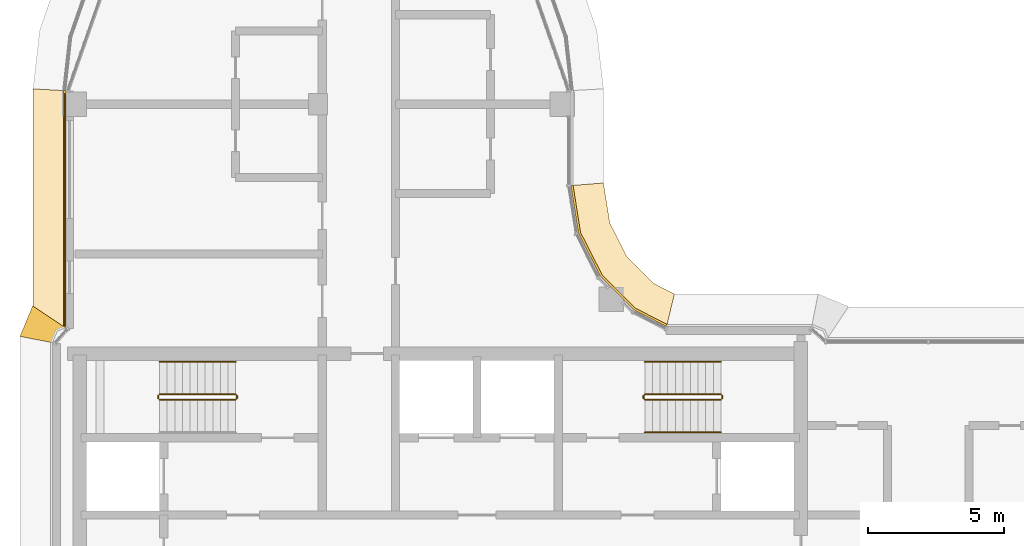
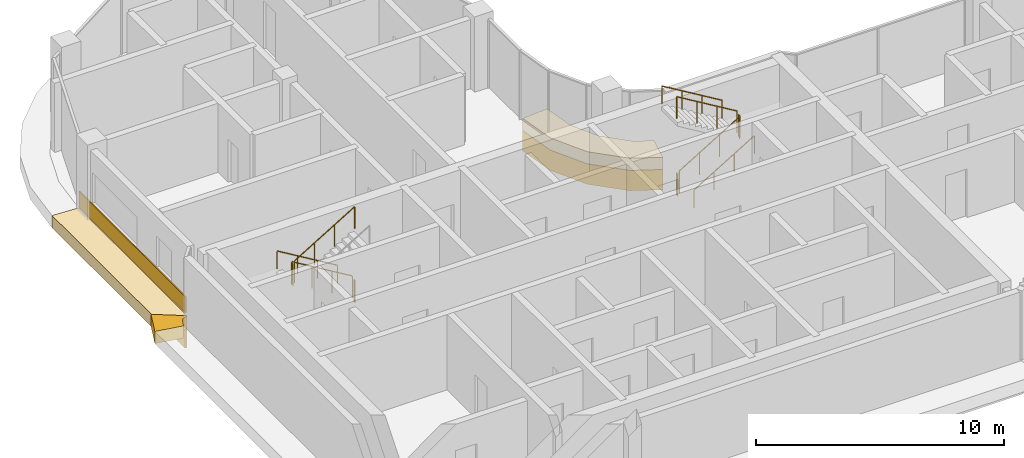
# One storey, part 17 of 20: 11 railings, 6 coverings.
"""IFC4 building model written with IfcOpenShell, lengths in metres."""

from ifc_helpers import new_model, si_unit, direction, frame, origin, origin_2d, place, context, subcontext, project, spatial, polyline, rectangle, circle, outline, extrude, material, layer, layer_set, type_object, element, save


model = new_model("IFC4")

# Units and contexts
model_context = context("Model", 3, precision=1e-05, world=origin(), true_north=direction((0.0, 1.0)))
body_context = subcontext(model_context, "Body", "Model", "MODEL_VIEW")
ifc_project = project(units=[si_unit("LENGTHUNIT", "METRE"), si_unit("AREAUNIT", "SQUARE_METRE"), si_unit("VOLUMEUNIT", "CUBIC_METRE"), si_unit("PLANEANGLEUNIT", "RADIAN"), si_unit("MASSUNIT", "GRAM", prefix="KILO")], contexts=[model_context])

# Site, building, storey
site_placement = place(None, origin())
site = spatial("IfcSite", under=ifc_project, at=site_placement, CompositionType="ELEMENT")
building_placement = place(site_placement, origin())
building = spatial("IfcBuilding", under=site, at=building_placement, Name="Ogive Portal Towers", CompositionType="ELEMENT")
storey_placement = place(building_placement, frame((0.0, 0.0, 214.300048828125)))
storey = spatial("IfcBuildingStorey", under=building, at=storey_placement, Name="L53", CompositionType="ELEMENT", Elevation=214.300048828125)

# Railings
ifc_material_1 = material(Name="Stainless steel balustrade", Category="steel")
railing_type_1 = type_object("IfcRailingType", Name="INT-GUARD", PredefinedType="GUARDRAIL", material=ifc_material_1)
railing_1_placement = place(storey_placement, frame((37.449951171875, 37.800048828125, 0.168212890625)))
element("IfcRailing", 1, at=railing_1_placement, inside=storey, type_object=railing_type_1, Name="L53 ST-A1 stair guard 1", PredefinedType="GUARDRAIL", context=body_context, shape_type="SweptSolid", body=[
    extrude(circle(Radius=0.02392578125, at=origin_2d()), frame((0.0, 0.0, 1.076171875), z_axis=(-0.857275202839, 0.0, 0.514858452973), x_axis=(0.0, -1.0, 0.0)), (0.0, 0.0, 1.0), 3.26611328125),
    extrude(circle(Radius=0.02099609375, at=origin_2d()), origin(), (0.0, 0.0, 1.0), 1.052001953125),
    extrude(circle(Radius=0.02099609375, at=origin_2d()), frame((-0.933349609375, 0.0, 0.560546875)), (0.0, 0.0, 1.0), 1.052001953125),
    extrude(circle(Radius=0.02099609375, at=origin_2d()), frame((-1.86669921875, 0.0, 1.12109375)), (0.0, 0.0, 1.0), 1.052001953125),
    extrude(circle(Radius=0.02099609375, at=origin_2d()), frame((-2.800048828125, 0.0, 1.681640625)), (0.0, 0.0, 1.0), 1.052001953125),
])
railing_2_placement = place(storey_placement, frame((34.60009765625, 37.75, 1.849853515625)))
element("IfcRailing", 2, at=railing_2_placement, inside=storey, type_object=railing_type_1, Name="L53 ST-A1 stair guard 2", PredefinedType="GUARDRAIL", context=body_context, shape_type="SweptSolid", body=[
    extrude(circle(Radius=0.02392578125, at=origin_2d()), frame((0.0, 0.0, 1.076171875), z_axis=(0.0, -1.0, 0.0), x_axis=(1.0, 0.0, 0.0)), (0.0, 0.0, 1.0), 0.10009765625),
    extrude(circle(Radius=0.02099609375, at=origin_2d()), origin(), (0.0, 0.0, 1.0), 1.052001953125),
    extrude(circle(Radius=0.02099609375, at=origin_2d()), frame((0.0, -0.10009765625, 0.0)), (0.0, 0.0, 1.0), 1.052001953125),
])
railing_3_placement = place(storey_placement, frame((34.64990234375, 37.60009765625, 2.01806640625)))
element("IfcRailing", 3, at=railing_3_placement, inside=storey, type_object=railing_type_1, Name="L53 ST-A1 stair guard 3", PredefinedType="GUARDRAIL", context=body_context, shape_type="SweptSolid", body=[
    extrude(circle(Radius=0.02392578125, at=origin_2d()), frame((0.0, 0.0, 1.076171875), z_axis=(0.857242210791, 0.0, 0.514913383045), x_axis=(0.0, 1.0, 0.0)), (0.0, 0.0, 1.0), 3.266357421875),
    extrude(circle(Radius=0.02099609375, at=origin_2d()), origin(), (0.0, 0.0, 1.0), 1.052001953125),
    extrude(circle(Radius=0.02099609375, at=origin_2d()), frame((0.933349609375, 0.0, 0.560546875)), (0.0, 0.0, 1.0), 1.052001953125),
    extrude(circle(Radius=0.02099609375, at=origin_2d()), frame((1.86669921875, 0.0, 1.121337890625)), (0.0, 0.0, 1.0), 1.052001953125),
    extrude(circle(Radius=0.02099609375, at=origin_2d()), frame((2.800048828125, 0.0, 1.681884765625)), (0.0, 0.0, 1.0), 1.052001953125),
])
railing_4_placement = place(storey_placement, frame((37.5, 37.75, 0.0)))
element("IfcRailing", 4, at=railing_4_placement, inside=storey, type_object=railing_type_1, Name="L53 ST-A1 stair guard 4", PredefinedType="GUARDRAIL", context=body_context, shape_type="SweptSolid", body=[
    extrude(circle(Radius=0.02392578125, at=origin_2d()), frame((0.0, 0.0, 1.076171875), z_axis=(0.0, -1.0, 0.0), x_axis=(1.0, 0.0, 0.0)), (0.0, 0.0, 1.0), 0.10009765625),
    extrude(circle(Radius=0.02099609375, at=origin_2d()), origin(), (0.0, 0.0, 1.0), 1.052001953125),
    extrude(circle(Radius=0.02099609375, at=origin_2d()), frame((0.0, -0.10009765625, 0.0)), (0.0, 0.0, 1.0), 1.052001953125),
])
railing_5_placement = place(storey_placement, frame((52.550048828125, 37.60009765625, 0.168212890625)))
element("IfcRailing", 5, at=railing_5_placement, inside=storey, type_object=railing_type_1, Name="L53 ST-A2 stair guard 1", PredefinedType="GUARDRAIL", context=body_context, shape_type="SweptSolid", body=[
    extrude(circle(Radius=0.02392578125, at=origin_2d()), frame((0.0, 0.0, 1.076171875), z_axis=(0.857275202839, 0.0, 0.514858452973), x_axis=(0.0, 1.0, 0.0)), (0.0, 0.0, 1.0), 3.26611328125),
    extrude(circle(Radius=0.02099609375, at=origin_2d()), origin(), (0.0, 0.0, 1.0), 1.052001953125),
    extrude(circle(Radius=0.02099609375, at=origin_2d()), frame((0.933349609375, 0.0, 0.560546875)), (0.0, 0.0, 1.0), 1.052001953125),
    extrude(circle(Radius=0.02099609375, at=origin_2d()), frame((1.86669921875, 0.0, 1.12109375)), (0.0, 0.0, 1.0), 1.052001953125),
    extrude(circle(Radius=0.02099609375, at=origin_2d()), frame((2.800048828125, 0.0, 1.681640625)), (0.0, 0.0, 1.0), 1.052001953125),
])
railing_6_placement = place(storey_placement, frame((55.39990234375, 37.64990234375, 1.849853515625)))
element("IfcRailing", 6, at=railing_6_placement, inside=storey, type_object=railing_type_1, Name="L53 ST-A2 stair guard 2", PredefinedType="GUARDRAIL", context=body_context, shape_type="SweptSolid", body=[
    extrude(circle(Radius=0.02392578125, at=origin_2d()), frame((0.0, 0.0, 1.076171875), z_axis=(0.0, 1.0, 0.0), x_axis=(-1.0, 0.0, 0.0)), (0.0, 0.0, 1.0), 0.10009765625),
    extrude(circle(Radius=0.02099609375, at=origin_2d()), origin(), (0.0, 0.0, 1.0), 1.052001953125),
    extrude(circle(Radius=0.02099609375, at=origin_2d()), frame((0.0, 0.10009765625, 0.0)), (0.0, 0.0, 1.0), 1.052001953125),
])
railing_7_placement = place(storey_placement, frame((55.35009765625, 37.800048828125, 2.01806640625)))
element("IfcRailing", 7, at=railing_7_placement, inside=storey, type_object=railing_type_1, Name="L53 ST-A2 stair guard 3", PredefinedType="GUARDRAIL", context=body_context, shape_type="SweptSolid", body=[
    extrude(circle(Radius=0.02392578125, at=origin_2d()), frame((0.0, 0.0, 1.076171875), z_axis=(-0.857242210791, 0.0, 0.514913383045), x_axis=(0.0, -1.0, 0.0)), (0.0, 0.0, 1.0), 3.266357421875),
    extrude(circle(Radius=0.02099609375, at=origin_2d()), origin(), (0.0, 0.0, 1.0), 1.052001953125),
    extrude(circle(Radius=0.02099609375, at=origin_2d()), frame((-0.933349609375, 0.0, 0.560546875)), (0.0, 0.0, 1.0), 1.052001953125),
    extrude(circle(Radius=0.02099609375, at=origin_2d()), frame((-1.86669921875, 0.0, 1.121337890625)), (0.0, 0.0, 1.0), 1.052001953125),
    extrude(circle(Radius=0.02099609375, at=origin_2d()), frame((-2.800048828125, 0.0, 1.681884765625)), (0.0, 0.0, 1.0), 1.052001953125),
])
railing_8_placement = place(storey_placement, frame((52.5, 37.64990234375, 0.0)))
element("IfcRailing", 8, at=railing_8_placement, inside=storey, type_object=railing_type_1, Name="L53 ST-A2 stair guard 4", PredefinedType="GUARDRAIL", context=body_context, shape_type="SweptSolid", body=[
    extrude(circle(Radius=0.02392578125, at=origin_2d()), frame((0.0, 0.0, 1.076171875), z_axis=(0.0, 1.0, 0.0), x_axis=(-1.0, 0.0, 0.0)), (0.0, 0.0, 1.0), 0.10009765625),
    extrude(circle(Radius=0.02099609375, at=origin_2d()), origin(), (0.0, 0.0, 1.0), 1.052001953125),
    extrude(circle(Radius=0.02099609375, at=origin_2d()), frame((0.0, 0.10009765625, 0.0)), (0.0, 0.0, 1.0), 1.052001953125),
])
ifc_material_2 = material(Name="Stainless steel handrail", Category="steel")
railing_type_2 = type_object("IfcRailingType", Name="INT-HANDRAIL", PredefinedType="HANDRAIL", material=ifc_material_2)
railing_9_placement = place(storey_placement, frame((37.449951171875, 39.0, 0.168212890625)))
element("IfcRailing", 9, at=railing_9_placement, inside=storey, type_object=railing_type_2, Name="L53 ST-A1 stair handrail 1", PredefinedType="HANDRAIL", context=body_context, shape_type="SweptSolid", body=[
    extrude(circle(Radius=0.02392578125, at=origin_2d()), frame((0.0, 0.0, 0.8759765625), z_axis=(-0.857275202839, 0.0, 0.514858452973), x_axis=(0.0, -1.0, 0.0)), (0.0, 0.0, 1.0), 3.26611328125),
    extrude(circle(Radius=0.02099609375, at=origin_2d()), origin(), (0.0, 0.0, 1.0), 0.851806640625),
    extrude(circle(Radius=0.02099609375, at=origin_2d()), frame((-0.933349609375, 0.0, 0.560546875)), (0.0, 0.0, 1.0), 0.851806640625),
    extrude(circle(Radius=0.02099609375, at=origin_2d()), frame((-1.86669921875, 0.0, 1.12109375)), (0.0, 0.0, 1.0), 0.851806640625),
    extrude(circle(Radius=0.02099609375, at=origin_2d()), frame((-2.800048828125, 0.0, 1.681640625)), (0.0, 0.0, 1.0), 0.851806640625),
])
railing_10_placement = place(storey_placement, frame((52.550048828125, 36.39990234375, 0.168212890625)))
element("IfcRailing", 10, at=railing_10_placement, inside=storey, type_object=railing_type_2, Name="L53 ST-A2 stair handrail 1", PredefinedType="HANDRAIL", context=body_context, shape_type="SweptSolid", body=[
    extrude(circle(Radius=0.02392578125, at=origin_2d()), frame((0.0, 0.0, 0.8759765625), z_axis=(0.857275202839, 0.0, 0.514858452973), x_axis=(0.0, 1.0, 0.0)), (0.0, 0.0, 1.0), 3.26611328125),
    extrude(circle(Radius=0.02099609375, at=origin_2d()), origin(), (0.0, 0.0, 1.0), 0.851806640625),
    extrude(circle(Radius=0.02099609375, at=origin_2d()), frame((0.933349609375, 0.0, 0.560546875)), (0.0, 0.0, 1.0), 0.851806640625),
    extrude(circle(Radius=0.02099609375, at=origin_2d()), frame((1.86669921875, 0.0, 1.12109375)), (0.0, 0.0, 1.0), 0.851806640625),
    extrude(circle(Radius=0.02099609375, at=origin_2d()), frame((2.800048828125, 0.0, 1.681640625)), (0.0, 0.0, 1.0), 0.851806640625),
])
railing_11_placement = place(storey_placement, frame((55.35009765625, 39.0, 2.01806640625)))
element("IfcRailing", 11, at=railing_11_placement, inside=storey, type_object=railing_type_2, Name="L53 ST-A2 stair handrail 2", PredefinedType="HANDRAIL", context=body_context, shape_type="SweptSolid", body=[
    extrude(circle(Radius=0.02392578125, at=origin_2d()), frame((0.0, 0.0, 0.8759765625), z_axis=(-0.857242210791, 0.0, 0.514913383045), x_axis=(0.0, -1.0, 0.0)), (0.0, 0.0, 1.0), 3.266357421875),
    extrude(circle(Radius=0.02099609375, at=origin_2d()), origin(), (0.0, 0.0, 1.0), 0.851806640625),
    extrude(circle(Radius=0.02099609375, at=origin_2d()), frame((-0.933349609375, 0.0, 0.560546875)), (0.0, 0.0, 1.0), 0.851806640625),
    extrude(circle(Radius=0.02099609375, at=origin_2d()), frame((-1.86669921875, 0.0, 1.121337890625)), (0.0, 0.0, 1.0), 0.851806640625),
    extrude(circle(Radius=0.02099609375, at=origin_2d()), frame((-2.800048828125, 0.0, 1.681884765625)), (0.0, 0.0, 1.0), 0.851806640625),
])

# Coverings
ifc_material_3 = material(Name="Limestone cladding on lightweight block wall", Category="masonry")
ifc_layer_1 = layer(ifc_material_3, 0.050048828125)
ifc_layer_set_1 = layer_set([ifc_layer_1], Name="SCREEN PERFORATED STONE")
covering_type_1 = type_object("IfcCoveringType", Name="SCREEN PERFORATED STONE", PredefinedType="CLADDING", material=ifc_layer_set_1)
covering_1_placement = place(storey_placement, frame((31.155029296875, 44.603271484375, 0.10009765625), z_axis=(0.0, 0.0, 1.0), x_axis=(0.0, -1.0, 0.0)))
element("IfcCovering", 12, at=covering_1_placement, inside=storey, type_object=covering_type_1, Name="Tracery screen", PredefinedType="CLADDING", context=body_context, shape_type="SweptSolid", body=[
    extrude(rectangle(XDim=8.566162109375, YDim=0.050048828125, at=origin_2d()), origin(), (0.0, 0.0, 1.0), 0.800048828125),
])
ifc_layer_2 = layer(ifc_material_3, 0.080078125)
ifc_layer_set_2 = layer_set([ifc_layer_2], Name="STONE SPANDREL 80")
covering_type_2 = type_object("IfcCoveringType", Name="STONE SPANDREL 80", PredefinedType="CLADDING", material=ifc_layer_set_2)
covering_2_placement = place(storey_placement, frame((0.0, 0.0, -1.60009765625)))
element("IfcCovering", 13, at=covering_2_placement, inside=storey, type_object=covering_type_2, Name="Stone spandrel A1-F03", PredefinedType="CLADDING", context=body_context, shape_type="SweptSolid", body=[
    extrude(outline(polyline([(53.348388671875, 40.300048828125), (52.161376953125, 40.90478515625), (50.90478515625, 42.161376953125), (50.097900390625, 43.744873046875), (49.820068359375, 45.5), (49.89990234375, 45.50634765625), (50.175048828125, 43.769775390625), (50.97021484375, 42.208984375), (52.208984375, 40.97021484375), (53.367431640625, 40.3798828125), (53.348388671875, 40.300048828125)])), origin(), (0.0, 0.0, 1.0), 1.0),
])
covering_3_placement = place(storey_placement, frame((0.0, 0.0, -1.60009765625)))
element("IfcCovering", 14, at=covering_3_placement, inside=storey, type_object=covering_type_2, Name="Stone spandrel A1-F06", PredefinedType="CLADDING", context=body_context, shape_type="SweptSolid", body=[
    extrude(outline(polyline([(31.179931640625, 49.0), (31.179931640625, 40.250244140625), (31.10009765625, 40.3037109375), (31.10009765625, 49.00439453125), (31.179931640625, 49.0)])), origin(), (0.0, 0.0, 1.0), 1.0),
])
ifc_layer_3 = layer(ifc_material_3, 0.60009765625)
ifc_layer_set_3 = layer_set([ifc_layer_3], Name="SUNSHADE LIP 600")
covering_type_3 = type_object("IfcCoveringType", Name="SUNSHADE LIP 600", PredefinedType="CLADDING", material=ifc_layer_set_3)
covering_4_placement = place(storey_placement, frame((0.0, 0.0, -0.60009765625)))
element("IfcCovering", 15, at=covering_4_placement, inside=storey, type_object=covering_type_3, Name="Sunshade lip A1-F03", PredefinedType="CLADDING", context=body_context, shape_type="SweptSolid", body=[
    extrude(outline(polyline([(53.348388671875, 40.300048828125), (52.161376953125, 40.90478515625), (50.90478515625, 42.161376953125), (50.097900390625, 43.744873046875), (49.820068359375, 45.5), (51.02001953125, 45.594482421875), (51.25341796875, 44.1201171875), (51.8876953125, 42.87548828125), (52.87548828125, 41.8876953125), (53.636474609375, 41.5), (53.348388671875, 40.300048828125)])), origin(), (0.0, 0.0, 1.0), 0.60009765625),
])
covering_5_placement = place(storey_placement, frame((0.0, 0.0, -0.60009765625)))
element("IfcCovering", 16, at=covering_5_placement, inside=storey, type_object=covering_type_3, Name="Sunshade lip A1-F06", PredefinedType="CLADDING", context=body_context, shape_type="SweptSolid", body=[
    extrude(outline(polyline([(31.179931640625, 49.0), (31.179931640625, 40.250244140625), (29.97998046875, 41.052001953125), (29.97998046875, 49.0673828125), (31.179931640625, 49.0)])), origin(), (0.0, 0.0, 1.0), 0.60009765625),
])
covering_6_placement = place(storey_placement, frame((0.0, 0.0, -0.60009765625)))
element("IfcCovering", 17, at=covering_6_placement, inside=storey, type_object=covering_type_3, Name="Sunshade lip A1-F07", PredefinedType="CLADDING", context=body_context, shape_type="SweptSolid", body=[
    extrude(outline(polyline([(31.179931640625, 40.250244140625), (30.875732421875, 40.124267578125), (30.699951171875, 39.699951171875), (29.5, 39.938720703125), (29.957275390625, 41.042724609375), (29.97998046875, 41.052001953125), (31.179931640625, 40.250244140625)])), origin(), (0.0, 0.0, 1.0), 0.60009765625),
])

save(model, "model.ifc")
